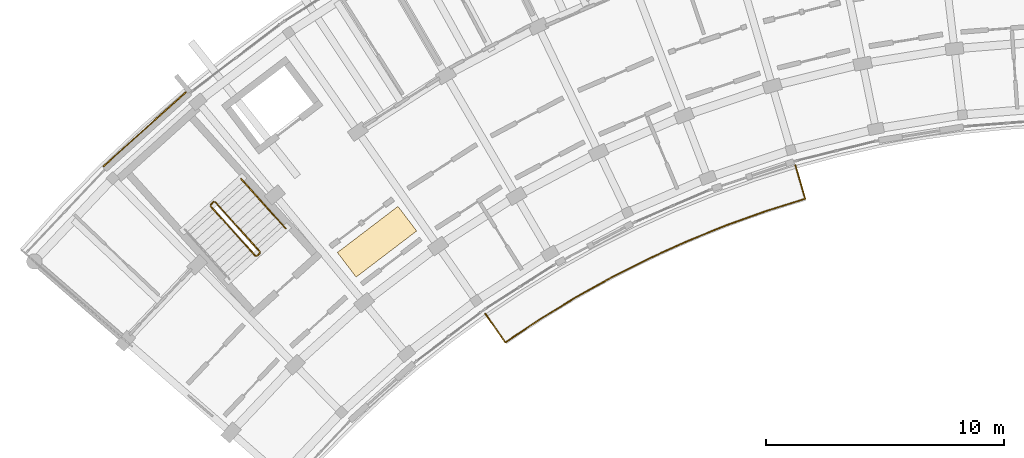
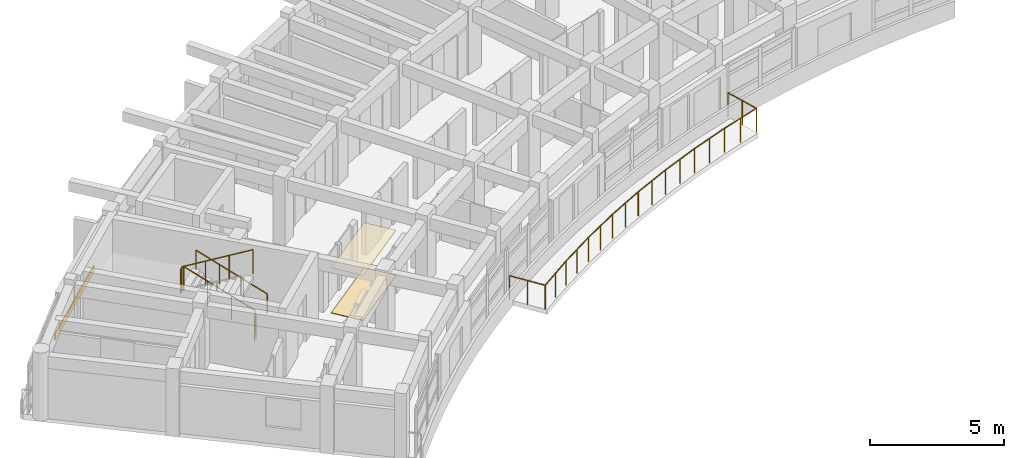
# One storey, part 30 of 38: 6 railings, 3 coverings.
"""IFC4 building model written with IfcOpenShell, lengths in metres."""

from ifc_helpers import new_model, si_unit, direction, frame, origin, origin_2d, place, context, subcontext, project, spatial, rectangle, circle, extrude, material, layer, layer_set, type_object, element, save


model = new_model("IFC4")

# Units and contexts
model_context = context("Model", 3, precision=1e-05, world=origin(), true_north=direction((0.0, 1.0)))
body_context = subcontext(model_context, "Body", "Model", "MODEL_VIEW")
ifc_project = project(units=[si_unit("LENGTHUNIT", "METRE"), si_unit("AREAUNIT", "SQUARE_METRE"), si_unit("VOLUMEUNIT", "CUBIC_METRE"), si_unit("PLANEANGLEUNIT", "RADIAN"), si_unit("MASSUNIT", "GRAM", prefix="KILO")], contexts=[model_context])

# Site, building, storey
site_placement = place(None, origin())
site = spatial("IfcSite", under=ifc_project, at=site_placement, CompositionType="ELEMENT")
building_placement = place(site_placement, origin())
building = spatial("IfcBuilding", under=site, at=building_placement, Name="Zimvara Arc Housing Community", CompositionType="ELEMENT")
storey_placement = place(building_placement, frame((0.0, 0.0, 29.800048828125)))
storey = spatial("IfcBuildingStorey", under=building, at=storey_placement, Name="L09", CompositionType="ELEMENT", Elevation=29.800048828125)

# Coverings
ifc_material_1 = material(Name="Pale-Gold Anodised Aluminium Cladding", Category="aluminium")
ifc_layer_1 = layer(ifc_material_1, 0.044921875)
ifc_layer_set_1 = layer_set([ifc_layer_1], Name="Pale-Gold Anodised Aluminium Cladding")
covering_type_1 = type_object("IfcCoveringType", Name="CLD-GOLD-02", PredefinedType="CLADDING", material=ifc_layer_set_1)
covering_1_placement = place(storey_placement, frame((5.22314453125, 88.70751953125, 0.009765625), z_axis=(0.0, 0.0, 1.0), x_axis=(0.74337718344, 0.668872456557, 0.0)))
element("IfcCovering", 1, at=covering_1_placement, inside=storey, type_object=covering_type_1, Name="cld:blkA:L09:out:b1", PredefinedType="CLADDING", context=body_context, shape_type="SweptSolid", body=[
    extrude(rectangle(XDim=4.748779296875, YDim=0.044921875, at=origin_2d()), origin(), (0.0, 0.0, 1.0), 0.300048828125),
])
ifc_material_2 = material(Name="Perforated Acoustic Ceiling Board")
ifc_layer_2 = layer(ifc_material_2, 0.02197265625)
ifc_layer_set_2 = layer_set([ifc_layer_2], Name="Perforated Acoustic Ceiling Board")
covering_type_2 = type_object("IfcCoveringType", Name="COV-CEIL-02", PredefinedType="CEILING", material=ifc_layer_set_2)
covering_2_placement = place(storey_placement, frame((14.974853515625, 83.959228515625, 2.057861328125), z_axis=(0.0, 0.0, 1.0), x_axis=(-0.605988400266, 0.795473480855, 0.0)))
element("IfcCovering", 2, at=covering_2_placement, inside=storey, type_object=covering_type_2, Name="ceil:blkA:L09", PredefinedType="CEILING", context=body_context, shape_type="SweptSolid", body=[
    extrude(rectangle(XDim=1.300048828125, YDim=3.199951171875, at=origin_2d()), origin(), (0.0, 0.0, 1.0), 0.02197265625),
])
ifc_material_3 = material(Name="Polished Coastal Sand Terrazzo")
ifc_layer_3 = layer(ifc_material_3, 0.02392578125)
ifc_layer_set_3 = layer_set([ifc_layer_3], Name="Polished Coastal Sand Terrazzo")
covering_type_3 = type_object("IfcCoveringType", Name="COV-FLOR-02", PredefinedType="FLOORING", material=ifc_layer_set_3)
covering_3_placement = place(storey_placement, frame((14.974853515625, 83.959228515625, 0.0), z_axis=(0.0, 0.0, 1.0), x_axis=(-0.605988400266, 0.795473480855, 0.0)))
element("IfcCovering", 3, at=covering_3_placement, inside=storey, type_object=covering_type_3, Name="flor:blkA:L09", PredefinedType="FLOORING", context=body_context, shape_type="SweptSolid", body=[
    extrude(rectangle(XDim=1.300048828125, YDim=3.199951171875, at=origin_2d()), origin(), (0.0, 0.0, 1.0), 0.02392578125),
])

# Railings
ifc_material_4 = material(Name="Anodised Aluminium AW-6063", Category="aluminium")
railing_type_1 = type_object("IfcRailingType", Name="RLG-BAL-1120", PredefinedType="BALUSTRADE", material=ifc_material_4)
railing_1_placement = place(storey_placement, frame((19.530029296875, 80.92919921875, 0.0)))
element("IfcRailing", 4, at=railing_1_placement, inside=storey, type_object=railing_type_1, Name="rlg:blkA:L09:bal_in_guard", PredefinedType="BALUSTRADE", context=body_context, shape_type="SweptSolid", body=[
    extrude(circle(Radius=0.02392578125, at=origin_2d()), frame((0.0, 0.0, 1.09619140625), z_axis=(0.572960666414, -0.819582866306, 0.0), x_axis=(0.819582866306, 0.572960666414, 0.0)), (0.0, 0.0, 1.0), 1.469970703125),
    extrude(circle(Radius=0.02392578125, at=origin_2d()), frame((0.84228515625, -1.204833984375, 1.09619140625), z_axis=(0.83110751259, 0.556111771604, 0.0), x_axis=(-0.556111771604, 0.83110751259, 0.0)), (0.0, 0.0, 1.0), 1.755126953125),
    extrude(circle(Radius=0.02392578125, at=origin_2d()), frame((2.301025390625, -0.228759765625, 1.09619140625), z_axis=(0.853092665747, 0.52175943082, 0.0), x_axis=(-0.52175943082, 0.853092665747, 0.0)), (0.0, 0.0, 1.0), 1.755126953125),
    extrude(circle(Radius=0.02392578125, at=origin_2d()), frame((3.79833984375, 0.68701171875, 1.09619140625), z_axis=(0.873651601958, 0.486552030513, 0.0), x_axis=(-0.486552030513, 0.873651601958, 0.0)), (0.0, 0.0, 1.0), 1.755126953125),
    extrude(circle(Radius=0.02392578125, at=origin_2d()), frame((5.331787109375, 1.541015625, 1.09619140625), z_axis=(0.892835912271, 0.450382097512, 0.0), x_axis=(-0.450382097512, 0.892835912271, 0.0)), (0.0, 0.0, 1.0), 1.755126953125),
    extrude(circle(Radius=0.02392578125, at=origin_2d()), frame((6.89892578125, 2.33154296875, 1.09619140625), z_axis=(0.91049504579, 0.413519977258, 0.0), x_axis=(-0.413519977258, 0.91049504579, 0.0)), (0.0, 0.0, 1.0), 1.755126953125),
    extrude(circle(Radius=0.02392578125, at=origin_2d()), frame((8.4970703125, 3.057373046875, 1.09619140625), z_axis=(0.926565071811, 0.376134507458, 0.0), x_axis=(-0.376134507458, 0.926565071811, 0.0)), (0.0, 0.0, 1.0), 1.755126953125),
    extrude(circle(Radius=0.02392578125, at=origin_2d()), frame((10.123291015625, 3.717529296875, 1.09619140625), z_axis=(0.941158376395, 0.33796584227, 0.0), x_axis=(-0.33796584227, 0.941158376395, 0.0)), (0.0, 0.0, 1.0), 1.75537109375),
    extrude(circle(Radius=0.02392578125, at=origin_2d()), frame((11.775390625, 4.310791015625, 1.09619140625), z_axis=(0.954192435663, 0.299193575672, 0.0), x_axis=(-0.299193575672, 0.954192435663, 0.0)), (0.0, 0.0, 1.0), 1.755126953125),
    extrude(circle(Radius=0.02392578125, at=origin_2d()), frame((13.4501953125, 4.8359375, 1.09619140625), z_axis=(-0.279719338513, 0.960081815087, 0.0), x_axis=(-0.960081815087, -0.279719338513, 0.0)), (0.0, 0.0, 1.0), 1.4697265625),
    extrude(circle(Radius=0.02099609375, at=origin_2d()), origin(), (0.0, 0.0, 1.0), 1.072021484375),
    extrude(circle(Radius=0.02099609375, at=origin_2d()), frame((0.421142578125, -0.6025390625, 0.0)), (0.0, 0.0, 1.0), 1.072021484375),
    extrude(circle(Radius=0.02099609375, at=origin_2d()), frame((0.84228515625, -1.204833984375, 0.0)), (0.0, 0.0, 1.0), 1.072021484375),
    extrude(circle(Radius=0.02099609375, at=origin_2d()), frame((1.57177734375, -0.716796875, 0.0)), (0.0, 0.0, 1.0), 1.072021484375),
    extrude(circle(Radius=0.02099609375, at=origin_2d()), frame((2.301025390625, -0.228759765625, 0.0)), (0.0, 0.0, 1.0), 1.072021484375),
    extrude(circle(Radius=0.02099609375, at=origin_2d()), frame((3.0498046875, 0.22900390625, 0.0)), (0.0, 0.0, 1.0), 1.072021484375),
    extrude(circle(Radius=0.02099609375, at=origin_2d()), frame((3.79833984375, 0.68701171875, 0.0)), (0.0, 0.0, 1.0), 1.072021484375),
    extrude(circle(Radius=0.02099609375, at=origin_2d()), frame((4.56494140625, 1.114013671875, 0.0)), (0.0, 0.0, 1.0), 1.072021484375),
    extrude(circle(Radius=0.02099609375, at=origin_2d()), frame((5.331787109375, 1.541015625, 0.0)), (0.0, 0.0, 1.0), 1.072021484375),
    extrude(circle(Radius=0.02099609375, at=origin_2d()), frame((6.115234375, 1.936279296875, 0.0)), (0.0, 0.0, 1.0), 1.072021484375),
    extrude(circle(Radius=0.02099609375, at=origin_2d()), frame((6.89892578125, 2.33154296875, 0.0)), (0.0, 0.0, 1.0), 1.072021484375),
    extrude(circle(Radius=0.02099609375, at=origin_2d()), frame((7.697998046875, 2.6943359375, 0.0)), (0.0, 0.0, 1.0), 1.072021484375),
    extrude(circle(Radius=0.02099609375, at=origin_2d()), frame((8.4970703125, 3.057373046875, 0.0)), (0.0, 0.0, 1.0), 1.072021484375),
    extrude(circle(Radius=0.02099609375, at=origin_2d()), frame((9.31005859375, 3.387451171875, 0.0)), (0.0, 0.0, 1.0), 1.072021484375),
    extrude(circle(Radius=0.02099609375, at=origin_2d()), frame((10.123291015625, 3.717529296875, 0.0)), (0.0, 0.0, 1.0), 1.072021484375),
    extrude(circle(Radius=0.02099609375, at=origin_2d()), frame((10.94921875, 4.01416015625, 0.0)), (0.0, 0.0, 1.0), 1.072021484375),
    extrude(circle(Radius=0.02099609375, at=origin_2d()), frame((11.775390625, 4.310791015625, 0.0)), (0.0, 0.0, 1.0), 1.072021484375),
    extrude(circle(Radius=0.02099609375, at=origin_2d()), frame((12.61279296875, 4.5732421875, 0.0)), (0.0, 0.0, 1.0), 1.072021484375),
    extrude(circle(Radius=0.02099609375, at=origin_2d()), frame((13.4501953125, 4.8359375, 0.0)), (0.0, 0.0, 1.0), 1.072021484375),
    extrude(circle(Radius=0.02099609375, at=origin_2d()), frame((13.24462890625, 5.54150390625, 0.0)), (0.0, 0.0, 1.0), 1.072021484375),
    extrude(circle(Radius=0.02099609375, at=origin_2d()), frame((13.0390625, 6.2470703125, 0.0)), (0.0, 0.0, 1.0), 1.072021484375),
])
railing_2_placement = place(storey_placement, frame((10.0478515625, 83.5400390625, 0.155029296875)))
element("IfcRailing", 5, at=railing_2_placement, inside=storey, type_object=railing_type_1, Name="L09 ST-A1 stair guard 1", PredefinedType="BALUSTRADE", context=body_context, shape_type="SweptSolid", body=[
    extrude(circle(Radius=0.02392578125, at=origin_2d()), frame((0.0, 0.0, 1.09619140625), z_axis=(-0.599018063854, 0.665748660595, 0.444922555162), x_axis=(-0.743380604779, -0.668868654101, 0.0)), (0.0, 0.0, 1.0), 3.135498046875),
    extrude(circle(Radius=0.02099609375, at=origin_2d()), origin(), (0.0, 0.0, 1.0), 1.072021484375),
    extrude(circle(Radius=0.02099609375, at=origin_2d()), frame((-0.6259765625, 0.69580078125, 0.465087890625)), (0.0, 0.0, 1.0), 1.072021484375),
    extrude(circle(Radius=0.02099609375, at=origin_2d()), frame((-1.252197265625, 1.3916015625, 0.929931640625)), (0.0, 0.0, 1.0), 1.072021484375),
    extrude(circle(Radius=0.02099609375, at=origin_2d()), frame((-1.878173828125, 2.08740234375, 1.39501953125)), (0.0, 0.0, 1.0), 1.072021484375),
])
railing_3_placement = place(storey_placement, frame((8.098876953125, 85.631103515625, 1.550048828125)))
element("IfcRailing", 6, at=railing_3_placement, inside=storey, type_object=railing_type_1, Name="L09 ST-A1 stair guard 2", PredefinedType="BALUSTRADE", context=body_context, shape_type="SweptSolid", body=[
    extrude(circle(Radius=0.02392578125, at=origin_2d()), frame((0.0, 0.0, 1.09619140625), z_axis=(-0.743521848755, -0.668711642207, 0.0), x_axis=(0.668711642207, -0.743521848755, 0.0)), (0.0, 0.0, 1.0), 0.159912109375),
    extrude(circle(Radius=0.02099609375, at=origin_2d()), origin(), (0.0, 0.0, 1.0), 1.072021484375),
    extrude(circle(Radius=0.02099609375, at=origin_2d()), frame((-0.118896484375, -0.10693359375, 0.0)), (0.0, 0.0, 1.0), 1.072021484375),
])
railing_4_placement = place(storey_placement, frame((7.976318359375, 85.453369140625, 1.704833984375)))
element("IfcRailing", 7, at=railing_4_placement, inside=storey, type_object=railing_type_1, Name="L09 ST-A1 stair guard 3", PredefinedType="BALUSTRADE", context=body_context, shape_type="SweptSolid", body=[
    extrude(circle(Radius=0.02392578125, at=origin_2d()), frame((0.0, 0.0, 1.09619140625), z_axis=(0.599018063854, -0.665748660595, 0.444922555162), x_axis=(0.743380604779, 0.668868654101, 0.0)), (0.0, 0.0, 1.0), 3.135498046875),
    extrude(circle(Radius=0.02099609375, at=origin_2d()), origin(), (0.0, 0.0, 1.0), 1.072021484375),
    extrude(circle(Radius=0.02099609375, at=origin_2d()), frame((0.6259765625, -0.69580078125, 0.465087890625)), (0.0, 0.0, 1.0), 1.072021484375),
    extrude(circle(Radius=0.02099609375, at=origin_2d()), frame((1.252197265625, -1.3916015625, 0.929931640625)), (0.0, 0.0, 1.0), 1.072021484375),
    extrude(circle(Radius=0.02099609375, at=origin_2d()), frame((1.878173828125, -2.08740234375, 1.39501953125)), (0.0, 0.0, 1.0), 1.072021484375),
])
railing_5_placement = place(storey_placement, frame((10.0439453125, 83.469482421875, 0.0)))
element("IfcRailing", 8, at=railing_5_placement, inside=storey, type_object=railing_type_1, Name="L09 ST-A1 stair guard 4", PredefinedType="BALUSTRADE", context=body_context, shape_type="SweptSolid", body=[
    extrude(circle(Radius=0.02392578125, at=origin_2d()), frame((0.0, 0.0, 1.09619140625), z_axis=(-0.742763048172, -0.669554369913, 0.0), x_axis=(0.669554369913, -0.742763048172, 0.0)), (0.0, 0.0, 1.0), 0.16015625),
    extrude(circle(Radius=0.02099609375, at=origin_2d()), origin(), (0.0, 0.0, 1.0), 1.072021484375),
    extrude(circle(Radius=0.02099609375, at=origin_2d()), frame((-0.118896484375, -0.107177734375, 0.0)), (0.0, 0.0, 1.0), 1.072021484375),
])
ifc_material_5 = material(Name="Anodised Aluminium AW-6063", Category="aluminium")
railing_type_2 = type_object("IfcRailingType", Name="RLG-HND-900", PredefinedType="HANDRAIL", material=ifc_material_5)
railing_6_placement = place(storey_placement, frame((11.133056640625, 84.5166015625, 0.155029296875)))
element("IfcRailing", 9, at=railing_6_placement, inside=storey, type_object=railing_type_2, Name="L09 ST-A1 stair handrail 1", PredefinedType="HANDRAIL", context=body_context, shape_type="SweptSolid", body=[
    extrude(circle(Radius=0.02392578125, at=origin_2d()), frame((0.0, 0.0, 0.8759765625), z_axis=(-0.599018063854, 0.665748660595, 0.444922555162), x_axis=(-0.743380604779, -0.668868654101, 0.0)), (0.0, 0.0, 1.0), 3.135498046875),
    extrude(circle(Radius=0.02099609375, at=origin_2d()), origin(), (0.0, 0.0, 1.0), 0.851806640625),
    extrude(circle(Radius=0.02099609375, at=origin_2d()), frame((-0.6259765625, 0.69580078125, 0.465087890625)), (0.0, 0.0, 1.0), 0.851806640625),
    extrude(circle(Radius=0.02099609375, at=origin_2d()), frame((-1.252197265625, 1.3916015625, 0.929931640625)), (0.0, 0.0, 1.0), 0.851806640625),
    extrude(circle(Radius=0.02099609375, at=origin_2d()), frame((-1.878173828125, 2.08740234375, 1.39501953125)), (0.0, 0.0, 1.0), 0.851806640625),
])

save(model, "model.ifc")
